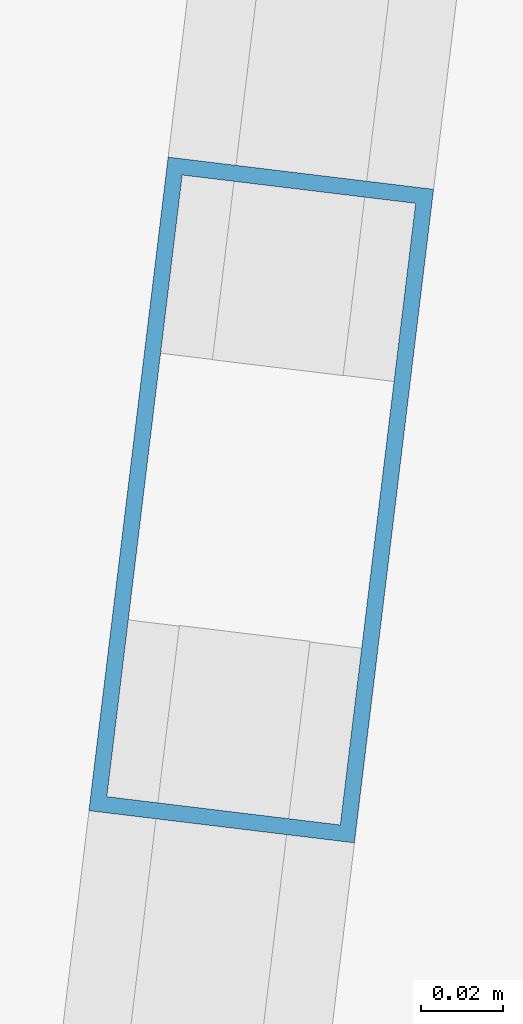
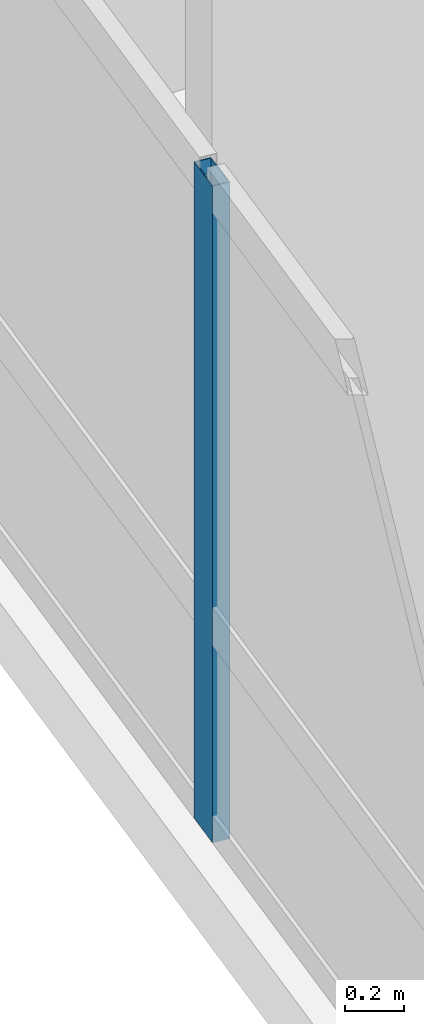
# One storey, part 4 of 26: 1 member, 1 element without a shape of its own.
"""IFC4 building model written with IfcOpenShell, lengths in metres."""

import ifcopenshell
import ifcopenshell.guid

model = None  # the IFC model being written
_history = None  # IfcOwnerHistory: only IFC2X3 demands one
_inside = {}  # id of a spatial element -> (the spatial element, [elements in it])
_under = {}  # id of a project, library or spatial element -> (it, [spatial elements below it])
_declared = {}  # id of a project -> (the project, [libraries it declares])
_typed = {}  # id of a type object -> (the type object, [elements of that type])
_made_of = {}  # id of a material, layer set ... -> (it, [elements and type objects made of it])


def new_model(schema):
    """Start an empty IFC model of exactly this schema.

    Asked for "IFC4X3", IfcOpenShell would pick the latest addendum, in which some entities
    have other attributes; the version numbers below select the first issue.
    IFC2X3 requires an IfcOwnerHistory on every rooted entity: one is made here for all.
    """
    global model, _history
    if schema == "IFC4X3":
        model = ifcopenshell.file(schema_version=(4, 3, 0, 0))
    else:
        model = ifcopenshell.file(schema=schema)
    _inside.clear()
    _under.clear()
    _declared.clear()
    _typed.clear()
    _made_of.clear()
    _history = None
    if model.schema == "IFC2X3":
        org = make("IfcOrganization", Name="unknown")
        user = make(
            "IfcPersonAndOrganization",
            ThePerson=make("IfcPerson", FamilyName="unknown"),
            TheOrganization=org,
        )
        app = make(
            "IfcApplication",
            ApplicationDeveloper=org,
            Version="unknown",
            ApplicationFullName="unknown",
            ApplicationIdentifier="unknown",
        )
        _history = make(
            "IfcOwnerHistory",
            OwningUser=user,
            OwningApplication=app,
            ChangeAction="ADDED",
            CreationDate=0,
        )
    return model


def make(cls, **values):
    """One entity of the class cls with the attributes given. An attribute that is None is left unset."""
    return model.create_entity(
        cls, **{name: value for name, value in values.items() if value is not None}
    )


def rooted(cls, **values):
    """An entity with a GlobalId (a new one), such as an element, a storey or a relation."""
    return make(cls, GlobalId=ifcopenshell.guid.new(), OwnerHistory=_history, **values)


def si_unit(unit_type, name, prefix=None):
    """IfcSIUnit, for example si_unit("LENGTHUNIT", "METRE", prefix="MILLI")."""
    return make("IfcSIUnit", UnitType=unit_type, Prefix=prefix, Name=name)


def assignment(units):
    """IfcUnitAssignment: the units of a project."""
    return None if units is None else make("IfcUnitAssignment", Units=units)


def point(xyz):
    """IfcCartesianPoint."""
    return None if xyz is None else make("IfcCartesianPoint", Coordinates=xyz)


def direction(xyz):
    """IfcDirection."""
    return None if xyz is None else make("IfcDirection", DirectionRatios=xyz)


def frame(location, z_axis=None, x_axis=None):
    """IfcAxis2Placement3D, a coordinate frame: its origin and axes. An axis left out is left unset."""
    return make(
        "IfcAxis2Placement3D",
        Location=point(location),
        Axis=direction(z_axis),
        RefDirection=direction(x_axis),
    )


def frame_2d(location, x_axis=None):
    """IfcAxis2Placement2D, a coordinate frame in the plane: its origin and x axis."""
    return make(
        "IfcAxis2Placement2D", Location=point(location), RefDirection=direction(x_axis)
    )


def origin():
    """The frame at (0, 0, 0) with its axes left unset."""
    return frame((0.0, 0.0, 0.0))


def origin_2d():
    """The frame at (0, 0) in the plane with its x axis left unset."""
    return frame_2d((0.0, 0.0))


def place(relative_to, where):
    """IfcLocalPlacement: puts the frame where relative to a parent placement (None: the world)."""
    return make(
        "IfcLocalPlacement", PlacementRelTo=relative_to, RelativePlacement=where
    )


def context(
    kind, dimensions, precision=None, world=None, true_north=None, identifier=None
):
    """IfcGeometricRepresentationContext, for example the 3D "Model" context."""
    return make(
        "IfcGeometricRepresentationContext",
        ContextIdentifier=identifier,
        ContextType=kind,
        CoordinateSpaceDimension=dimensions,
        Precision=precision,
        WorldCoordinateSystem=world,
        TrueNorth=true_north,
    )


def subcontext(parent, identifier, kind, view, scale=None):
    """IfcGeometricRepresentationSubContext, for example "Body" below "Model"."""
    return make(
        "IfcGeometricRepresentationSubContext",
        ContextIdentifier=identifier,
        ContextType=kind,
        ParentContext=parent,
        TargetScale=scale,
        TargetView=view,
    )


def project(units=None, contexts=None):
    """IfcProject with its units and contexts."""
    return rooted(
        "IfcProject",
        Name="project",
        RepresentationContexts=contexts,
        UnitsInContext=assignment(units),
    )


def spatial(cls, under=None, at=None, **own):
    """A site, building, storey or space (cls), placed at a placement, below another one or the project."""
    s = rooted(cls, ObjectPlacement=at, **own)
    if under is not None:
        _under.setdefault(under.id(), (under, []))[1].append(s)
    return s


def profile(cls, at=None, kind="AREA", **sizes):
    """A parametric profile (cls). Its sizes go by their IFC names, for example OverallWidth=200.0."""
    return make(cls, ProfileType=kind, Position=at, **sizes)


def hollow_rectangle(**sizes):
    """IfcRectangleHollowProfileDef."""
    return profile("IfcRectangleHollowProfileDef", **sizes)


def extrude(swept, where, along, depth):
    """IfcExtrudedAreaSolid: the profile swept, set in the frame where, extruded along a direction by depth."""
    return make(
        "IfcExtrudedAreaSolid",
        SweptArea=swept,
        Position=where,
        ExtrudedDirection=direction(along),
        Depth=depth,
    )


def shape(context_of_items, identifier, shape_type, items):
    """IfcShapeRepresentation: the items that make up one representation, for example the "Body"."""
    return make(
        "IfcShapeRepresentation",
        ContextOfItems=context_of_items,
        RepresentationIdentifier=identifier,
        RepresentationType=shape_type,
        Items=items,
    )


def material(Name=None, Category=None):
    """IfcMaterial."""
    return make("IfcMaterial", Name=Name, Category=Category)


def layer(
    of_material, thickness, ventilated=None, Name=None, Category=None, Priority=None
):
    """IfcMaterialLayer: one layer of a wall or slab, of a material (None: an air gap)."""
    return make(
        "IfcMaterialLayer",
        Material=of_material,
        LayerThickness=thickness,
        IsVentilated=ventilated,
        Name=Name,
        Category=Category,
        Priority=Priority,
    )


def layer_set(layers, Name=None):
    """IfcMaterialLayerSet."""
    return make("IfcMaterialLayerSet", MaterialLayers=layers, LayerSetName=Name)


def material_profile(
    of_material, cross_section, Name=None, Category=None, Priority=None
):
    """IfcMaterialProfile: a cross section and its material."""
    return make(
        "IfcMaterialProfile",
        Name=Name,
        Material=of_material,
        Profile=cross_section,
        Priority=Priority,
        Category=Category,
    )


def profile_set(profiles, Name=None, composite=None):
    """IfcMaterialProfileSet."""
    return make(
        "IfcMaterialProfileSet",
        Name=Name,
        MaterialProfiles=profiles,
        CompositeProfile=composite,
    )


def made_of(thing, what):
    """Note that an element or type object is made of a material, layer set ...; save() writes the relation."""
    if what is not None:
        _made_of.setdefault(what.id(), (what, []))[1].append(thing)
    return thing


def type_object(cls, material=None, **own):
    """A type object (cls), such as IfcWallType, which elements share."""
    return made_of(rooted(cls, **own), material)


def element(
    cls,
    number,
    at=None,
    inside=None,
    cuts=None,
    type_object=None,
    material=None,
    context=None,
    identifier="Body",
    shape_type=None,
    held_by="IfcProductDefinitionShape",
    body=None,
    shapes=None,
    **own,
):
    """One element of the class cls, such as IfcWall. Its Tag is "e" and its number.

    at: its placement. inside: the storey or other place that contains it. cuts: it is an
    opening in that element (IfcRelVoidsElement). A single representation is given by context,
    identifier, shape_type and body (its items); several are given by shapes. held_by: the class
    of the entity that holds the representations. save() writes the other relations.
    """
    e = rooted(cls, Tag="e%d" % number, ObjectPlacement=at, **own)
    if body is not None:
        shapes = [shape(context, identifier, shape_type, body)]
    if shapes is not None:
        e.Representation = make(held_by, Representations=shapes)
    if inside is not None:
        _inside.setdefault(inside.id(), (inside, []))[1].append(e)
    if cuts is not None:
        rooted(
            "IfcRelVoidsElement", RelatingBuildingElement=cuts, RelatedOpeningElement=e
        )
    if type_object is not None:
        _typed.setdefault(type_object.id(), (type_object, []))[1].append(e)
    return made_of(e, material)


def aggregate(whole, parts):
    """IfcRelAggregates: a whole, such as a stair, and the parts it consists of."""
    return rooted("IfcRelAggregates", RelatingObject=whole, RelatedObjects=parts)


def save(model, path):
    """Write the relations noted so far, then the file.

    IfcRelAggregates (storeys below a building ...), IfcRelContainedInSpatialStructure (elements
    in a storey), IfcRelDefinesByType, IfcRelAssociatesMaterial and IfcRelDeclares: one each for
    every whole, place, type object, material and project.
    """
    for whole, parts in _under.values():
        aggregate(whole, parts)
    for where, things in _inside.values():
        rooted(
            "IfcRelContainedInSpatialStructure",
            RelatedElements=things,
            RelatingStructure=where,
        )
    for kind, things in _typed.values():
        rooted("IfcRelDefinesByType", RelatedObjects=things, RelatingType=kind)
    for what, things in _made_of.values():
        rooted("IfcRelAssociatesMaterial", RelatedObjects=things, RelatingMaterial=what)
    for by, libraries in _declared.values():
        rooted("IfcRelDeclares", RelatingContext=by, RelatedDefinitions=libraries)
    model.write(path)


model = new_model("IFC4")

# Units and contexts
model_context = context("Model", 3, precision=1e-05, world=origin(), true_north=direction((0.0, 1.0)))
body_context = subcontext(model_context, "Body", "Model", "MODEL_VIEW")
ifc_project = project(units=[si_unit("LENGTHUNIT", "METRE"), si_unit("AREAUNIT", "SQUARE_METRE"), si_unit("VOLUMEUNIT", "CUBIC_METRE"), si_unit("PLANEANGLEUNIT", "RADIAN"), si_unit("MASSUNIT", "GRAM", prefix="KILO")], contexts=[model_context])

# Site, building, storey
site_placement = place(None, origin())
site = spatial("IfcSite", under=ifc_project, at=site_placement, CompositionType="ELEMENT")
building_placement = place(site_placement, origin())
building = spatial("IfcBuilding", under=site, at=building_placement, Name="Varnelok Gate Tower", CompositionType="ELEMENT")
storey_placement = place(building_placement, frame((0.0, 0.0, 151.300048828125)))
storey = spatial("IfcBuildingStorey", under=building, at=storey_placement, Name="L38", CompositionType="ELEMENT", Elevation=151.300048828125)

# Curtain wall, member
ifc_material = material(Name="Anodized Aluminum Alloy 6063-T6", Category="aluminium")
ifc_layer = layer(ifc_material, 0.179931640625)
ifc_layer_set = layer_set([ifc_layer], Name="Anodized Aluminum Alloy 6063-T6")
curtain_wall_type = type_object("IfcCurtainWallType", Name="CW3-HOTEL-VISION", PredefinedType="USERDEFINED", material=ifc_layer_set)
curtain_wall_placement = place(storey_placement, origin())
curtain_wall = element("IfcCurtainWall", 1, at=curtain_wall_placement, inside=storey, type_object=curtain_wall_type, Name="L38 West End Vision Curtain Wall", ObjectType="UNITISED CURTAIN WALL", PredefinedType="USERDEFINED")
ifc_material_profile = material_profile(ifc_material, hollow_rectangle(XDim=0.06494140625, YDim=0.159912109375, WallThickness=0.00390625, at=origin_2d()), Name="ALU160X65X4")
ifc_profile_set = profile_set([ifc_material_profile], Name="Anodized Aluminum Alloy 6063-T6")
member_type = type_object("IfcMemberType", Name="CW-MULL-160", PredefinedType="MULLION", material=ifc_profile_set)
member_placement = place(storey_placement, frame((1.109619140625, 19.03857421875, 0.0), z_axis=(0.0, 0.0, 1.0), x_axis=(-0.99273188146, 0.120347046212, 0.0)))
member = element("IfcMember", 2, at=member_placement, type_object=member_type, Name="CW3 mullion 2", PredefinedType="MULLION", context=body_context, shape_type="SweptSolid", body=[
    extrude(hollow_rectangle(XDim=0.06494140625, YDim=0.159912109375, WallThickness=0.00390625, at=origin_2d()), origin(), (0.0, 0.0, 1.0), 2.72998046875),
])
aggregate(curtain_wall, [member])

save(model, "model.ifc")
